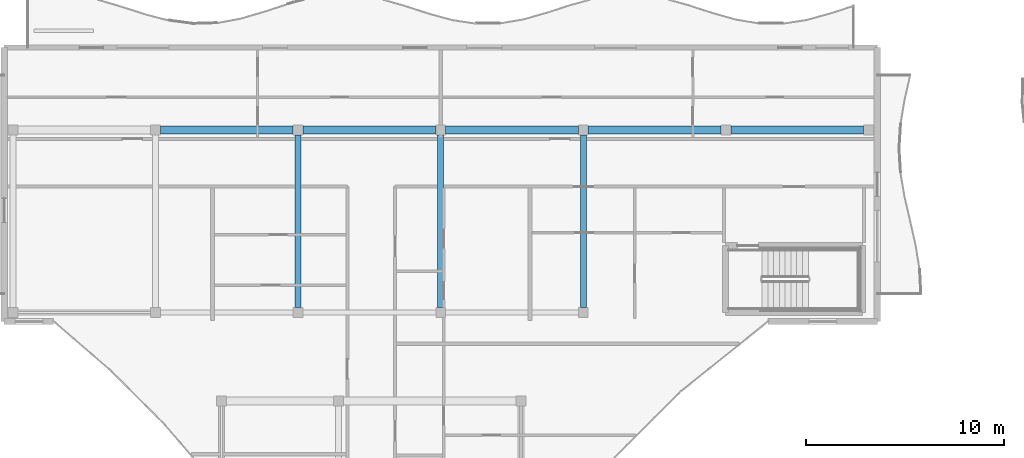
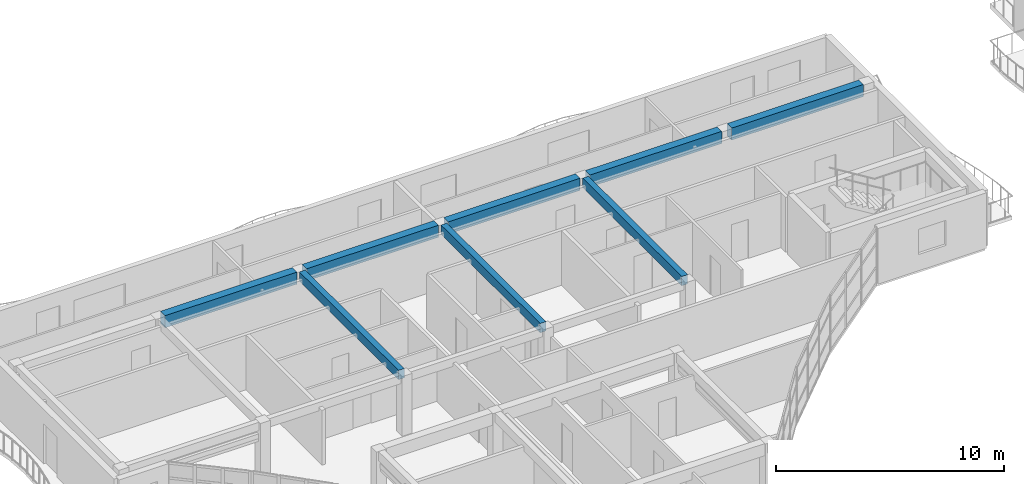
# One storey, part 11 of 39: 8 beams.
"""IFC4 building model written with IfcOpenShell, lengths in metres."""

from ifc_helpers import new_model, si_unit, direction, frame, origin, origin_2d, place, context, subcontext, project, spatial, rectangle, extrude, material, material_profile, profile_set, type_object, element, save


model = new_model("IFC4")

# Units and contexts
model_context = context("Model", 3, precision=1e-05, world=origin(), true_north=direction((0.0, 1.0)))
body_context = subcontext(model_context, "Body", "Model", "MODEL_VIEW")
ifc_project = project(units=[si_unit("LENGTHUNIT", "METRE"), si_unit("AREAUNIT", "SQUARE_METRE"), si_unit("VOLUMEUNIT", "CUBIC_METRE"), si_unit("PLANEANGLEUNIT", "RADIAN"), si_unit("MASSUNIT", "GRAM", prefix="KILO")], contexts=[model_context])

# Site, building, storey
site_placement = place(None, origin())
site = spatial("IfcSite", under=ifc_project, at=site_placement, CompositionType="ELEMENT")
building_placement = place(site_placement, origin())
building = spatial("IfcBuilding", under=site, at=building_placement, Name="Keldmere Railside Commons", CompositionType="ELEMENT")
storey_placement = place(building_placement, frame((0.0, 0.0, 32.9599609375)))
storey = spatial("IfcBuildingStorey", under=building, at=storey_placement, Name="L10", CompositionType="ELEMENT", Elevation=32.9599609375)

# Beams
ifc_material = material(Name="Concrete H-30 (C30/37)", Category="concrete")
ifc_material_profile_1 = material_profile(ifc_material, rectangle(XDim=0.39990234375, YDim=0.64990234375, at=origin_2d()), Name="RC-400x650")
ifc_profile_set_1 = profile_set([ifc_material_profile_1], Name="Concrete H-30 (C30/37)")
beam_type_1 = type_object("IfcBeamType", Name="Residential Spine RC Girder 400x650", PredefinedType="BEAM", material=ifc_profile_set_1)
beam_1_placement = place(storey_placement, frame((101.383056640625, 109.64990234375, 2.875), z_axis=(1.0, 0.0, 0.0), x_axis=(0.0, 1.0, 0.0)))
element("IfcBeam", 1, at=beam_1_placement, inside=storey, type_object=beam_type_1, Name="BG-3 BM-L10-2390", PredefinedType="BEAM", context=body_context, shape_type="SweptSolid", body=[
    extrude(rectangle(XDim=0.39990234375, YDim=0.64990234375, at=origin_2d()), origin(), (0.0, 0.0, 1.0), 6.683837890625),
])
for number, where, z_axis, x_axis, name in (
    (2, (108.56689453125, 109.64990234375, 2.875), (1.0, 0.0, 0.0), (0.0, 1.0, 0.0), "BG-3 BM-L10-2391"),
    (3, (115.75, 109.64990234375, 2.875), (1.0, 0.0, 0.0), (0.0, 1.0, 0.0), "BG-3 BM-L10-2392"),
):
    element("IfcBeam", number, at=place(storey_placement, frame(where, z_axis=z_axis, x_axis=x_axis)), inside=storey, type_object=beam_type_1, Name=name, PredefinedType="BEAM", context=body_context, shape_type="SweptSolid", body=[
        extrude(rectangle(XDim=0.39990234375, YDim=0.64990234375, at=origin_2d()), origin(), (0.0, 0.0, 1.0), 6.68310546875),
    ])
beam_2_placement = place(storey_placement, frame((122.93310546875, 109.64990234375, 2.875), z_axis=(1.0, 0.0, 0.0), x_axis=(0.0, 1.0, 0.0)))
element("IfcBeam", 4, at=beam_2_placement, inside=storey, type_object=beam_type_1, Name="BG-3 BM-L10-2393", PredefinedType="BEAM", context=body_context, shape_type="SweptSolid", body=[
    extrude(rectangle(XDim=0.39990234375, YDim=0.64990234375, at=origin_2d()), origin(), (0.0, 0.0, 1.0), 6.683837890625),
])
beam_3_placement = place(storey_placement, frame((130.116943359375, 109.64990234375, 2.875), z_axis=(1.0, 0.0, 0.0), x_axis=(0.0, 1.0, 0.0)))
element("IfcBeam", 5, at=beam_3_placement, inside=storey, type_object=beam_type_1, Name="BG-3 BM-L10-2394", PredefinedType="BEAM", context=body_context, shape_type="SweptSolid", body=[
    extrude(rectangle(XDim=0.39990234375, YDim=0.64990234375, at=origin_2d()), origin(), (0.0, 0.0, 1.0), 6.68310546875),
])
ifc_material_profile_2 = material_profile(ifc_material, rectangle(XDim=0.300048828125, YDim=0.5, at=origin_2d()), Name="RC-300x500")
ifc_profile_set_2 = profile_set([ifc_material_profile_2], Name="Concrete H-30 (C30/37)")
beam_type_2 = type_object("IfcBeamType", Name="Secondary Frame RC Beam 300x500", PredefinedType="BEAM", material=ifc_profile_set_2)
for number, where, z_axis, x_axis, name in (
    (6, (108.31689453125, 100.699951171875, 2.949951171875), (0.0, 1.0, 0.0), (-1.0, 0.0, 0.0), "BG-5 BM-L10-2403"),
    (7, (115.5, 100.699951171875, 2.949951171875), (0.0, 1.0, 0.0), (-1.0, 0.0, 0.0), "BG-5 BM-L10-2408"),
    (8, (122.68310546875, 100.699951171875, 2.949951171875), (0.0, 1.0, 0.0), (-1.0, 0.0, 0.0), "BG-5 BM-L10-2413"),
):
    element("IfcBeam", number, at=place(storey_placement, frame(where, z_axis=z_axis, x_axis=x_axis)), inside=storey, type_object=beam_type_2, Name=name, PredefinedType="BEAM", context=body_context, shape_type="SweptSolid", body=[
        extrude(rectangle(XDim=0.300048828125, YDim=0.5, at=origin_2d()), origin(), (0.0, 0.0, 1.0), 8.699951171875),
    ])

save(model, "model.ifc")
